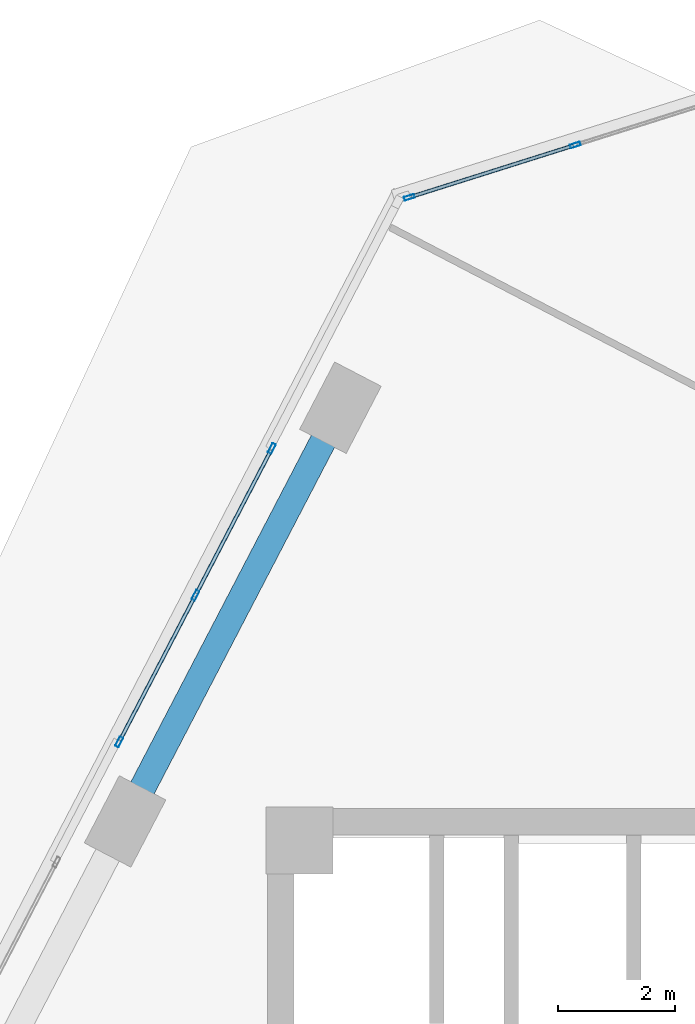
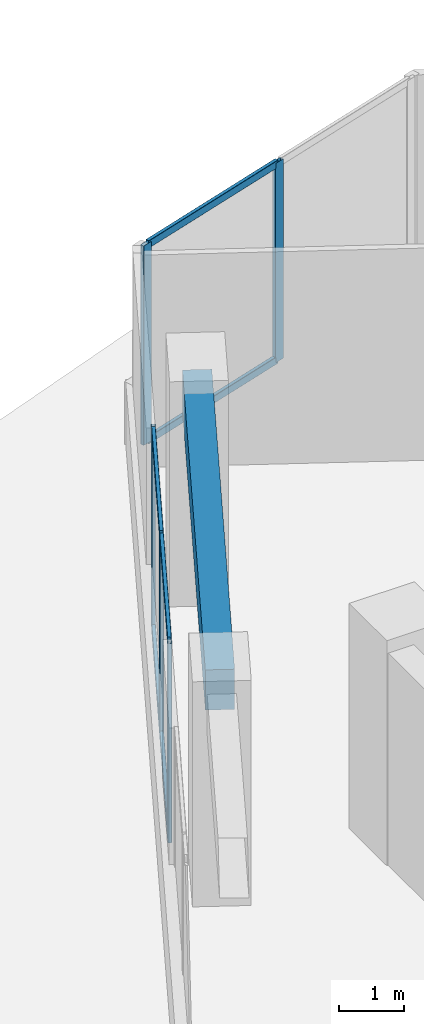
# One storey, part 12 of 22: 11 members, 1 beam, 2 elements without a shape of their own.
"""IFC4 building model written with IfcOpenShell, lengths in metres."""

from ifc_helpers import new_model, si_unit, direction, frame, origin, origin_2d, place, context, subcontext, project, spatial, rectangle, hollow_rectangle, extrude, source, transform, mapped, material, material_profile, profile_set, type_object, element, aggregate, save


model = new_model("IFC4")

# Units and contexts
model_context = context("Model", 3, precision=1e-05, world=origin(), true_north=direction((0.0, 1.0)))
body_context = subcontext(model_context, "Body", "Model", "MODEL_VIEW")
ifc_project = project(units=[si_unit("LENGTHUNIT", "METRE"), si_unit("AREAUNIT", "SQUARE_METRE"), si_unit("VOLUMEUNIT", "CUBIC_METRE"), si_unit("PLANEANGLEUNIT", "RADIAN"), si_unit("MASSUNIT", "GRAM", prefix="KILO")], contexts=[model_context])

# Site, building, storey
site_placement = place(None, origin())
site = spatial("IfcSite", under=ifc_project, at=site_placement, CompositionType="ELEMENT")
building_placement = place(site_placement, origin())
building = spatial("IfcBuilding", under=site, at=building_placement, Name="Torre Montelarca", CompositionType="ELEMENT")
storey_placement = place(building_placement, frame((0.0, 0.0, 166.60009765625)))
storey = spatial("IfcBuildingStorey", under=building, at=storey_placement, Name="L37", CompositionType="ELEMENT", Elevation=166.60009765625)

# Beam
ifc_material_1 = material(Name="Concrete C55/67", Category="concrete")
ifc_material_profile_1 = material_profile(ifc_material_1, rectangle(XDim=0.449951171875, YDim=0.75, at=origin_2d()), Name="RCB450X750", Category="concrete")
ifc_profile_set_1 = profile_set([ifc_material_profile_1], Name="Concrete C55/67")
beam_type = type_object("IfcBeamType", Name="BM-SP-RC750-EXT", PredefinedType="SPANDREL", material=ifc_profile_set_1)
shared_shape_1 = source(origin(), body_context, "Body", "SweptSolid", [
    extrude(rectangle(XDim=0.449951171875, YDim=0.75, at=origin_2d()), origin(), (0.0, 0.0, 1.0), 8.0),
])
beam_placement = place(storey_placement, frame((6.553955078125, 39.780517578125, 3.5849609375), z_axis=(0.461729359084, 0.887020855989, 0.0), x_axis=(-0.887020855989, 0.461729359084, 0.0)))
element("IfcBeam", 1, at=beam_placement, inside=storey, type_object=beam_type, Name="L37 Grid Girder Y 32.0-40.0 at X=4.7", PredefinedType="SPANDREL", context=body_context, shape_type="MappedRepresentation", body=[
    mapped(shared_shape_1, transform((0.0, 0.0, 0.0), scale=1.0)),
])

# Curtain wall, members
ifc_material_2 = material(Name="Insulated low-E laminated glass", Category="glass")
curtain_wall_type = type_object("IfcCurtainWallType", Name="CW-SYS-Z2", PredefinedType="USERDEFINED", material=ifc_material_2)
curtain_wall_1_placement = place(storey_placement, origin())
curtain_wall_1 = element("IfcCurtainWall", 2, at=curtain_wall_1_placement, inside=storey, type_object=curtain_wall_type, Name="L37 Curtain Wall Run CW-T3-L37-E09-B1", ObjectType="UNITISED GLAZING", PredefinedType="USERDEFINED")
ifc_material_3 = material(Name="Anodised aluminium AA 6063-T6", Category="aluminium")
ifc_material_profile_2 = material_profile(ifc_material_3, hollow_rectangle(XDim=0.06494140625, YDim=0.139892578125, WallThickness=0.00390625, InnerFilletRadius=0.00390625, OuterFilletRadius=0.008056640625, at=origin_2d()), Name="ALU65X140X4", Category="aluminium")
ifc_profile_set_2 = profile_set([ifc_material_profile_2], Name="Anodised aluminium AA 6063-T6")
member_type_1 = type_object("IfcMemberType", Name="CWT-ALU140", PredefinedType="USERDEFINED", material=ifc_profile_set_2)
shared_shape_2 = source(origin(), body_context, "Body", "SweptSolid", [
    extrude(hollow_rectangle(XDim=0.06494140625, YDim=0.139892578125, WallThickness=0.00390625, InnerFilletRadius=0.00390625, OuterFilletRadius=0.008056640625, at=origin_2d()), origin(), (0.0, 0.0, 1.0), 2.91845703125),
])
member_1_placement = place(storey_placement, frame((14.2451171875, 51.3740234375, 0.032470703125), z_axis=(-0.953710269036, -0.300726990368, 0.0), x_axis=(0.300726990368, -0.953710269036, 0.0)))
member_1 = element("IfcMember", 3, at=member_1_placement, type_object=member_type_1, Name="CW transom 2.1", ObjectType="TRANSOM", PredefinedType="USERDEFINED", context=body_context, shape_type="MappedRepresentation", body=[
    mapped(shared_shape_2, transform((0.0, 0.0, 0.0), scale=1.0)),
])
member_2_placement = place(storey_placement, frame((14.2451171875, 51.3740234375, 3.6875), z_axis=(-0.953710269036, -0.300726990368, 0.0), x_axis=(0.300726990368, -0.953710269036, 0.0)))
member_2 = element("IfcMember", 4, at=member_2_placement, type_object=member_type_1, Name="CW transom 2.2", ObjectType="TRANSOM", PredefinedType="USERDEFINED", context=body_context, shape_type="MappedRepresentation", body=[
    mapped(shared_shape_2, transform((0.0, 0.0, 0.0), scale=1.0)),
])

curtain_wall_2_placement = place(storey_placement, origin())
curtain_wall_2 = element("IfcCurtainWall", 5, at=curtain_wall_2_placement, inside=storey, type_object=curtain_wall_type, Name="L37 Curtain Wall Run CW-T3-L37-E10-B1", ObjectType="UNITISED GLAZING", PredefinedType="USERDEFINED")
shared_shape_3 = source(origin(), body_context, "Body", "SweptSolid", [
    extrude(hollow_rectangle(XDim=0.06494140625, YDim=0.139892578125, WallThickness=0.00390625, InnerFilletRadius=0.00390625, OuterFilletRadius=0.008056640625, at=origin_2d()), origin(), (0.0, 0.0, 1.0), 2.7724609375),
])
member_3_placement = place(storey_placement, frame((7.747314453125, 43.632080078125, 0.032470703125), z_axis=(-0.461771344584, -0.886998999617, 0.0), x_axis=(0.886998999617, -0.461771344584, 0.0)))
member_3 = element("IfcMember", 6, at=member_3_placement, type_object=member_type_1, Name="CW transom 2.1", ObjectType="TRANSOM", PredefinedType="USERDEFINED", context=body_context, shape_type="MappedRepresentation", body=[
    mapped(shared_shape_3, transform((0.0, 0.0, 0.0), scale=1.0)),
])
member_4_placement = place(storey_placement, frame((7.747314453125, 43.632080078125, 3.6875), z_axis=(-0.461771344584, -0.886998999617, 0.0), x_axis=(0.886998999617, -0.461771344584, 0.0)))
member_4 = element("IfcMember", 7, at=member_4_placement, type_object=member_type_1, Name="CW transom 2.2", ObjectType="TRANSOM", PredefinedType="USERDEFINED", context=body_context, shape_type="MappedRepresentation", body=[
    mapped(shared_shape_3, transform((0.0, 0.0, 0.0), scale=1.0)),
])

# Member
ifc_material_profile_3 = material_profile(ifc_material_3, hollow_rectangle(XDim=0.06494140625, YDim=0.179931640625, WallThickness=0.00390625, InnerFilletRadius=0.00390625, OuterFilletRadius=0.008056640625, at=origin_2d()), Name="ALU65X180X4", Category="aluminium")
ifc_profile_set_3 = profile_set([ifc_material_profile_3], Name="Anodised aluminium AA 6063-T6")
member_type_2 = type_object("IfcMemberType", Name="CWM-ALU180", PredefinedType="MULLION", material=ifc_profile_set_3)
shared_shape_4 = source(origin(), body_context, "Body", "SweptSolid", [
    extrude(hollow_rectangle(XDim=0.06494140625, YDim=0.179931640625, WallThickness=0.00390625, InnerFilletRadius=0.00390625, OuterFilletRadius=0.008056640625, at=origin_2d()), origin(), (0.0, 0.0, 1.0), 3.719970703125),
])
member_5_placement = place(storey_placement, frame((14.276123046875, 51.3837890625, 0.0), z_axis=(0.0, 0.0, 1.0), x_axis=(0.30069894448, -0.953719112102, 0.0)))
member_5 = element("IfcMember", 8, at=member_5_placement, type_object=member_type_2, Name="CW mullion 2", PredefinedType="MULLION", context=body_context, shape_type="MappedRepresentation", body=[
    mapped(shared_shape_4, transform((0.0, 0.0, 0.0), scale=1.0)),
])

member_6_placement = place(storey_placement, frame((11.4306640625, 50.486572265625, 0.0), z_axis=(0.0, 0.0, 1.0), x_axis=(0.30069894448, -0.953719112102, 0.0)))
member_6 = element("IfcMember", 9, at=member_6_placement, type_object=member_type_2, Name="CW mullion 3", PredefinedType="MULLION", context=body_context, shape_type="MappedRepresentation", body=[
    mapped(shared_shape_4, transform((0.0, 0.0, 0.0), scale=1.0)),
])

aggregate(curtain_wall_1, [member_5, member_6, member_1, member_2])

member_7_placement = place(storey_placement, frame((9.072509765625, 46.177978515625, 0.0), z_axis=(0.0, 0.0, 1.0), x_axis=(0.887004773732, -0.461760253136, 0.0)))
member_7 = element("IfcMember", 10, at=member_7_placement, type_object=member_type_2, Name="CW mullion 1", PredefinedType="MULLION", context=body_context, shape_type="MappedRepresentation", body=[
    mapped(shared_shape_4, transform((0.0, 0.0, 0.0), scale=1.0)),
])

member_8_placement = place(storey_placement, frame((7.76220703125, 43.660888671875, 0.0), z_axis=(0.0, 0.0, 1.0), x_axis=(0.887004773732, -0.461760253136, 0.0)))
member_8 = element("IfcMember", 11, at=member_8_placement, type_object=member_type_2, Name="CW mullion 2", PredefinedType="MULLION", context=body_context, shape_type="MappedRepresentation", body=[
    mapped(shared_shape_4, transform((0.0, 0.0, 0.0), scale=1.0)),
])

member_9_placement = place(storey_placement, frame((6.451904296875, 41.14404296875, 0.0), z_axis=(0.0, 0.0, 1.0), x_axis=(0.887004773732, -0.461760253136, 0.0)))
member_9 = element("IfcMember", 12, at=member_9_placement, type_object=member_type_2, Name="CW mullion 3", PredefinedType="MULLION", context=body_context, shape_type="MappedRepresentation", body=[
    mapped(shared_shape_4, transform((0.0, 0.0, 0.0), scale=1.0)),
])

shared_shape_5 = source(origin(), body_context, "Body", "SweptSolid", [
    extrude(hollow_rectangle(XDim=0.06494140625, YDim=0.139892578125, WallThickness=0.00390625, InnerFilletRadius=0.00390625, OuterFilletRadius=0.008056640625, at=origin_2d()), origin(), (0.0, 0.0, 1.0), 2.772216796875),
])
member_10_placement = place(storey_placement, frame((9.057373046875, 46.14892578125, 0.032470703125), z_axis=(-0.461738127252, -0.887016291757, 0.0), x_axis=(0.887016291757, -0.461738127252, 0.0)))
member_10 = element("IfcMember", 13, at=member_10_placement, type_object=member_type_1, Name="CW transom 1.1", ObjectType="TRANSOM", PredefinedType="USERDEFINED", context=body_context, shape_type="MappedRepresentation", body=[
    mapped(shared_shape_5, transform((0.0, 0.0, 0.0), scale=1.0)),
])

member_11_placement = place(storey_placement, frame((9.057373046875, 46.14892578125, 3.6875), z_axis=(-0.461738127252, -0.887016291757, 0.0), x_axis=(0.887016291757, -0.461738127252, 0.0)))
member_11 = element("IfcMember", 14, at=member_11_placement, type_object=member_type_1, Name="CW transom 1.2", ObjectType="TRANSOM", PredefinedType="USERDEFINED", context=body_context, shape_type="MappedRepresentation", body=[
    mapped(shared_shape_5, transform((0.0, 0.0, 0.0), scale=1.0)),
])

aggregate(curtain_wall_2, [member_7, member_8, member_9, member_10, member_11, member_3, member_4])

save(model, "model.ifc")
